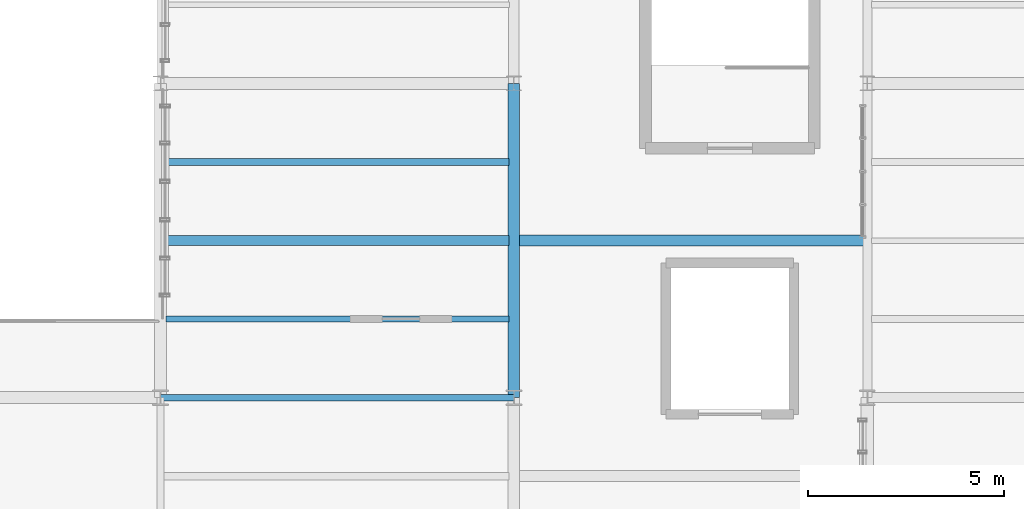
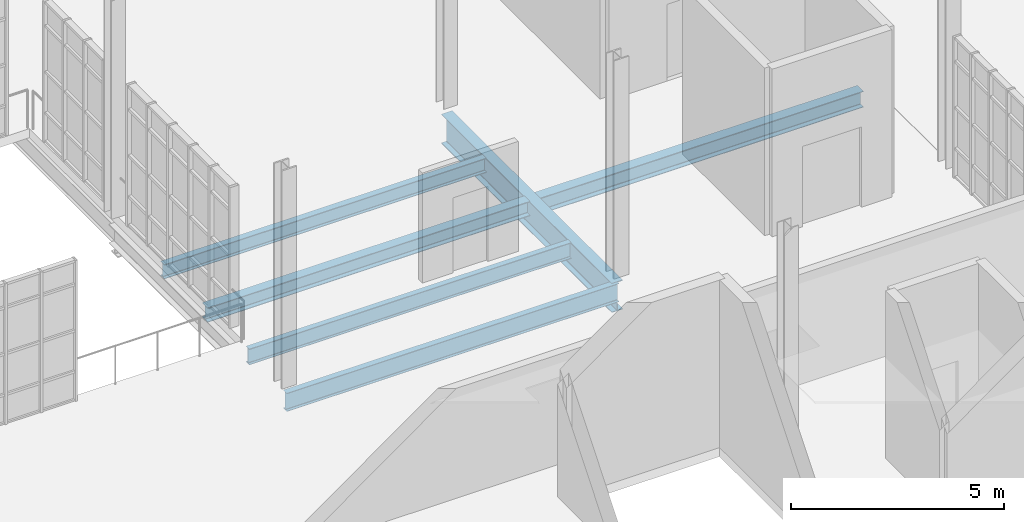
# One storey, part 38 of 118: 6 beams.
"""IFC4 building model written with IfcOpenShell, lengths in metres."""

from ifc_helpers import new_model, si_unit, direction, frame, origin, origin_2d, place, context, subcontext, project, spatial, i_section, extrude, material, material_profile, profile_set, type_object, element, save


model = new_model("IFC4")

# Units and contexts
model_context = context("Model", 3, precision=1e-05, world=origin(), true_north=direction((0.0, 1.0)))
body_context = subcontext(model_context, "Body", "Model", "MODEL_VIEW")
ifc_project = project(units=[si_unit("LENGTHUNIT", "METRE"), si_unit("AREAUNIT", "SQUARE_METRE"), si_unit("VOLUMEUNIT", "CUBIC_METRE"), si_unit("PLANEANGLEUNIT", "RADIAN"), si_unit("MASSUNIT", "GRAM", prefix="KILO"), si_unit("THERMODYNAMICTEMPERATUREUNIT", "KELVIN"), si_unit("POWERUNIT", "WATT")], contexts=[model_context])

# Site, building, storey
site_placement = place(None, origin())
site = spatial("IfcSite", under=ifc_project, at=site_placement, CompositionType="ELEMENT")
building_placement = place(site_placement, origin())
building = spatial("IfcBuilding", under=site, at=building_placement, Name="Zelmaris Science Centre", CompositionType="ELEMENT")
storey_placement = place(building_placement, frame((0.0, 0.0, 15.60009765625)))
storey = spatial("IfcBuildingStorey", under=building, at=storey_placement, Name="L03", CompositionType="ELEMENT", Elevation=15.60009765625)

# Beams
ifc_material = material(Name="Steel ASTM A992 Grade 50", Category="steel")
ifc_material_profile_1 = material_profile(ifc_material, i_section(OverallWidth=0.2919921875, OverallDepth=0.841064453125, WebThickness=0.0146484375, FlangeThickness=0.021728515625, FilletRadius=0.02001953125, at=origin_2d()), Name="W33X130")
ifc_profile_set_1 = profile_set([ifc_material_profile_1], Name="Steel ASTM A992 Grade 50")
beam_type_1 = type_object("IfcBeamType", Name="Beam G-07 W33X130", PredefinedType="BEAM", material=ifc_profile_set_1)
beam_1_placement = place(storey_placement, frame((126.0, 32.0, -0.6806640625), z_axis=(0.0, 1.0, 0.0), x_axis=(-1.0, 0.0, 0.0)))
element("IfcBeam", 1, at=beam_1_placement, inside=storey, type_object=beam_type_1, Name="L03 North-south girder 716", PredefinedType="BEAM", context=body_context, shape_type="SweptSolid", body=[
    extrude(i_section(OverallWidth=0.2919921875, OverallDepth=0.841064453125, WebThickness=0.0146484375, FlangeThickness=0.021728515625, FilletRadius=0.02001953125, at=origin_2d()), origin(), (0.0, 0.0, 1.0), 8.0),
])
ifc_material_profile_2 = material_profile(ifc_material, i_section(OverallWidth=0.1650390625, OverallDepth=0.52587890625, WebThickness=0.0087890625, FlangeThickness=0.011474609375, FilletRadius=0.013916015625, at=origin_2d()), Name="W21X44")
ifc_profile_set_2 = profile_set([ifc_material_profile_2], Name="Steel ASTM A992 Grade 50")
beam_type_2 = type_object("IfcBeamType", Name="Beam G-40 W21X44", PredefinedType="BEAM", material=ifc_profile_set_2)
beam_2_placement = place(storey_placement, frame((117.0, 32.0, -0.523193359375), z_axis=(1.0, 0.0, 0.0), x_axis=(0.0, 1.0, 0.0)))
element("IfcBeam", 2, at=beam_2_placement, inside=storey, type_object=beam_type_2, Name="L03 East-west girder 742", PredefinedType="BEAM", context=body_context, shape_type="SweptSolid", body=[
    extrude(i_section(OverallWidth=0.1650390625, OverallDepth=0.52587890625, WebThickness=0.0087890625, FlangeThickness=0.011474609375, FilletRadius=0.013916015625, at=origin_2d()), origin(), (0.0, 0.0, 1.0), 9.0),
])
ifc_material_profile_3 = material_profile(ifc_material, i_section(OverallWidth=0.279052734375, OverallDepth=0.4619140625, WebThickness=0.0107421875, FlangeThickness=0.017333984375, FilletRadius=0.012939453125, at=origin_2d()), Name="W18X76")
ifc_profile_set_3 = profile_set([ifc_material_profile_3], Name="Steel ASTM A992 Grade 50")
beam_type_3 = type_object("IfcBeamType", Name="Beam J-03 W18X76", PredefinedType="JOIST", material=ifc_profile_set_3)
beam_3_placement = place(storey_placement, frame((126.131103515625, 36.0, -0.4912109375), z_axis=(1.0, 0.0, 0.0), x_axis=(0.0, 1.0, 0.0)))
element("IfcBeam", 3, at=beam_3_placement, inside=storey, type_object=beam_type_3, Name="L03 Composite floor joist 371", PredefinedType="JOIST", context=body_context, shape_type="SweptSolid", body=[
    extrude(i_section(OverallWidth=0.279052734375, OverallDepth=0.4619140625, WebThickness=0.0107421875, FlangeThickness=0.017333984375, FilletRadius=0.012939453125, at=origin_2d()), origin(), (0.0, 0.0, 1.0), 8.769287109375),
])
ifc_material_profile_4 = material_profile(ifc_material, i_section(OverallWidth=0.152099609375, OverallDepth=0.455078125, WebThickness=0.008056640625, FlangeThickness=0.01318359375, FilletRadius=0.012939453125, at=origin_2d()), Name="W18X40")
ifc_profile_set_4 = profile_set([ifc_material_profile_4], Name="Steel ASTM A992 Grade 50")
beam_type_4 = type_object("IfcBeamType", Name="Beam J-05 W18X40", PredefinedType="JOIST", material=ifc_profile_set_4)
beam_4_placement = place(storey_placement, frame((117.14111328125, 34.0, -0.487548828125), z_axis=(1.0, 0.0, 0.0), x_axis=(0.0, 1.0, 0.0)))
element("IfcBeam", 4, at=beam_4_placement, inside=storey, type_object=beam_type_4, Name="L03 Composite floor joist 355", PredefinedType="JOIST", context=body_context, shape_type="SweptSolid", body=[
    extrude(i_section(OverallWidth=0.152099609375, OverallDepth=0.455078125, WebThickness=0.008056640625, FlangeThickness=0.01318359375, FilletRadius=0.012939453125, at=origin_2d()), origin(), (0.0, 0.0, 1.0), 8.727783203125),
])
ifc_material_profile_5 = material_profile(ifc_material, i_section(OverallWidth=0.260009765625, OverallDepth=0.4140625, WebThickness=0.010009765625, FlangeThickness=0.016845703125, FilletRadius=0.011962890625, at=origin_2d()), Name="W16X67")
ifc_profile_set_5 = profile_set([ifc_material_profile_5], Name="Steel ASTM A992 Grade 50")
beam_type_5 = type_object("IfcBeamType", Name="Beam J-06 W16X67", PredefinedType="JOIST", material=ifc_profile_set_5)
beam_5_placement = place(storey_placement, frame((117.14111328125, 36.0, -0.467041015625), z_axis=(1.0, 0.0, 0.0), x_axis=(0.0, 1.0, 0.0)))
element("IfcBeam", 5, at=beam_5_placement, inside=storey, type_object=beam_type_5, Name="L03 Composite floor joist 356", PredefinedType="JOIST", context=body_context, shape_type="SweptSolid", body=[
    extrude(i_section(OverallWidth=0.260009765625, OverallDepth=0.4140625, WebThickness=0.010009765625, FlangeThickness=0.016845703125, FilletRadius=0.011962890625, at=origin_2d()), origin(), (0.0, 0.0, 1.0), 8.727783203125),
])
ifc_material_profile_6 = material_profile(ifc_material, i_section(OverallWidth=0.177978515625, OverallDepth=0.408935546875, WebThickness=0.0087890625, FlangeThickness=0.014404296875, FilletRadius=0.011962890625, at=origin_2d()), Name="W16X45")
ifc_profile_set_6 = profile_set([ifc_material_profile_6], Name="Steel ASTM A992 Grade 50")
beam_type_6 = type_object("IfcBeamType", Name="Beam J-07 W16X45", PredefinedType="JOIST", material=ifc_profile_set_6)
beam_6_placement = place(storey_placement, frame((117.14111328125, 38.0, -0.464599609375), z_axis=(1.0, 0.0, 0.0), x_axis=(0.0, 1.0, 0.0)))
element("IfcBeam", 6, at=beam_6_placement, inside=storey, type_object=beam_type_6, Name="L03 Composite floor joist 357", PredefinedType="JOIST", context=body_context, shape_type="SweptSolid", body=[
    extrude(i_section(OverallWidth=0.177978515625, OverallDepth=0.408935546875, WebThickness=0.0087890625, FlangeThickness=0.014404296875, FilletRadius=0.011962890625, at=origin_2d()), origin(), (0.0, 0.0, 1.0), 8.727783203125),
])

save(model, "model.ifc")
